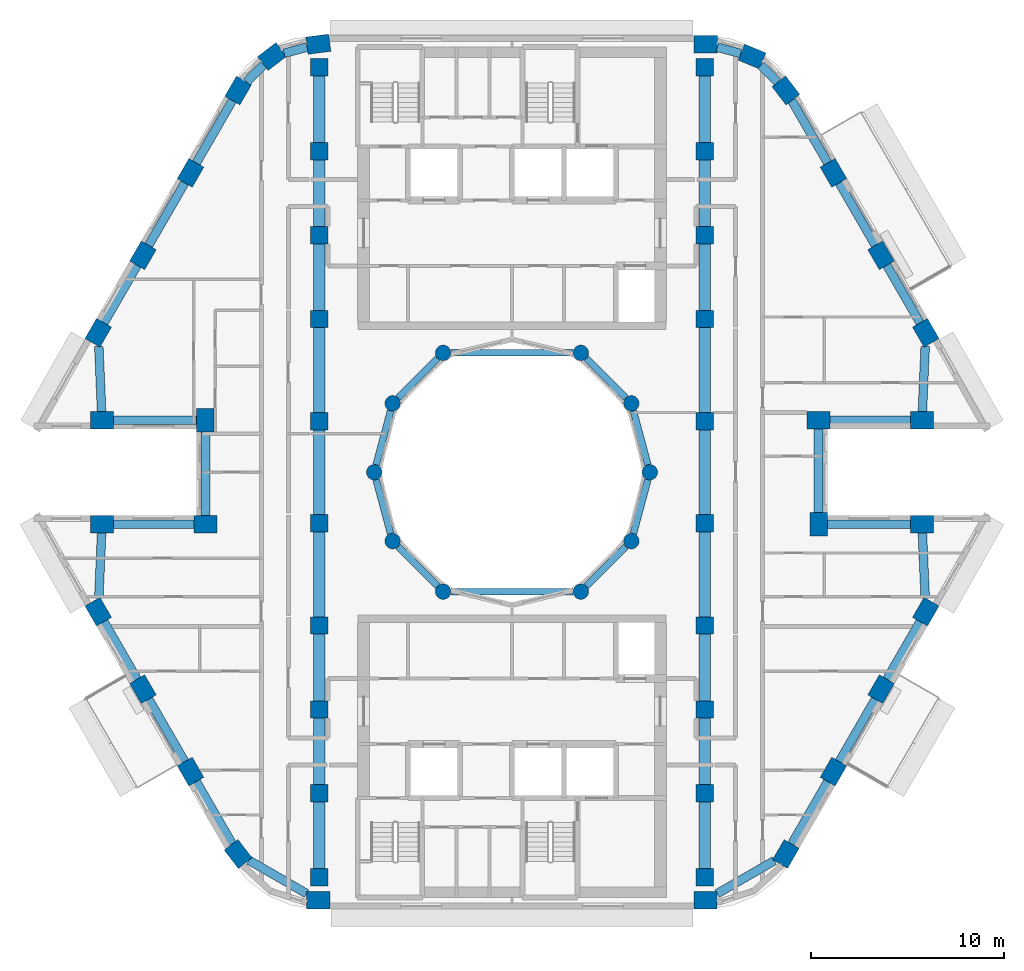
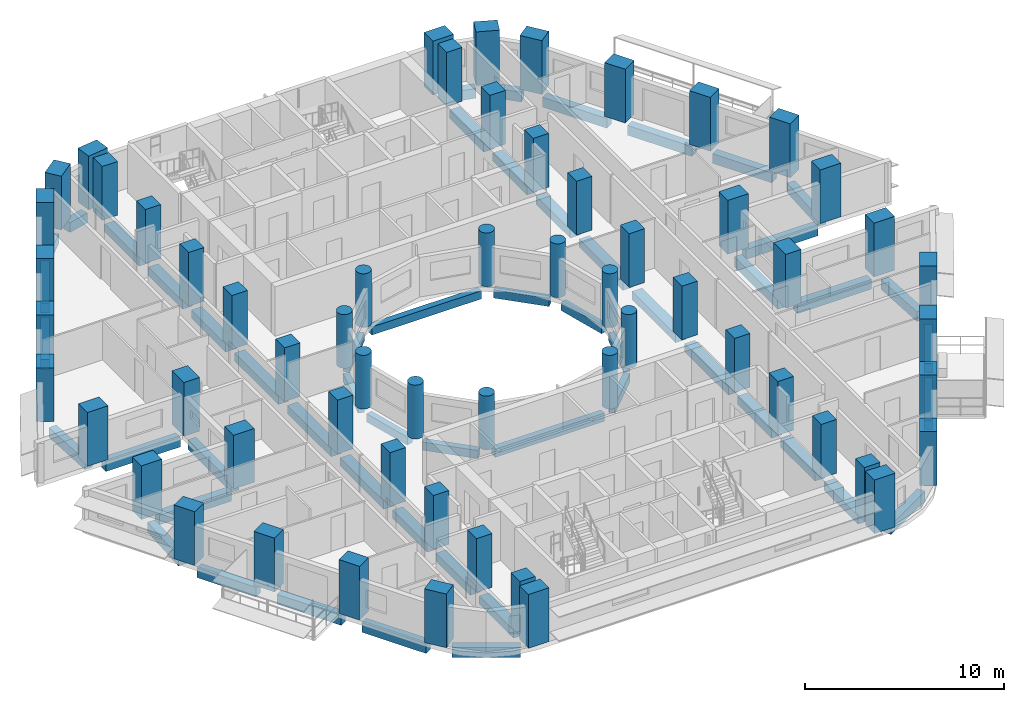
# One storey, part 1 of 18: 60 columns, 56 beams.
"""IFC4 building model written with IfcOpenShell, lengths in metres."""

from ifc_helpers import new_model, si_unit, direction, frame, origin, origin_2d, place, context, subcontext, project, spatial, rectangle, circle, extrude, material, material_profile, profile_set, type_object, element, save


model = new_model("IFC4")

# Units and contexts
model_context = context("Model", 3, precision=1e-05, world=origin(), true_north=direction((0.0, 1.0)))
body_context = subcontext(model_context, "Body", "Model", "MODEL_VIEW")
ifc_project = project(units=[si_unit("LENGTHUNIT", "METRE"), si_unit("AREAUNIT", "SQUARE_METRE"), si_unit("VOLUMEUNIT", "CUBIC_METRE"), si_unit("PLANEANGLEUNIT", "RADIAN"), si_unit("MASSUNIT", "GRAM", prefix="KILO")], contexts=[model_context])

# Site, building, storey
site_placement = place(None, origin())
site = spatial("IfcSite", under=ifc_project, at=site_placement, CompositionType="ELEMENT")
building_placement = place(site_placement, origin())
building = spatial("IfcBuilding", under=site, at=building_placement, Name="Nakaniwa Court", CompositionType="ELEMENT")
storey_placement = place(building_placement, frame((0.0, 0.0, 180.0)))
storey = spatial("IfcBuildingStorey", under=building, at=storey_placement, Name="L46", CompositionType="ELEMENT", Elevation=180.0)

# Columns
ifc_material = material(Name="Concrete C80/100", Category="concrete")
ifc_material_profile_1 = material_profile(ifc_material, rectangle(XDim=1.199951171875, YDim=0.89990234375, at=origin_2d()), Name="Concrete C80/100 RC 1200x900 perimeter column")
ifc_profile_set_1 = profile_set([ifc_material_profile_1], Name="Concrete C80/100")
column_type_1 = type_object("IfcColumnType", Name="Concrete C80/100 RC 1200x900 perimeter column", PredefinedType="COLUMN", material=ifc_profile_set_1)
for number, where, z_axis, x_axis, name in (
    (1, (69.95458984375, 102.199951171875, 0.0), (0.0, 0.0, 1.0), (-0.991442583111, -0.130543496177, 0.0), "COLUMN CO-01"),
    (2, (67.552001953125, 101.560302734375, 0.0), (0.0, 0.0, 1.0), (-0.793363965062, -0.608747582288, 0.0), "COLUMN CO-02"),
    (3, (65.796875, 99.799560546875, 0.0), (0.0, 0.0, 1.0), (-0.5, -0.866025403784, 0.0), "COLUMN CO-03"),
    (4, (63.328857421875, 95.524658203125, 0.0), (0.0, 0.0, 1.0), (-0.5, -0.866025403784, 0.0), "COLUMN CO-04"),
    (5, (60.860595703125, 91.249755859375, 0.0), (0.0, 0.0, 1.0), (-0.5, -0.866025403784, 0.0), "COLUMN CO-05"),
    (6, (58.541015625, 87.232177734375, 0.0), (0.0, 0.0, 1.0), (-0.5, -0.866025403784, 0.0), "COLUMN CO-06"),
    (7, (58.736083984375, 82.699951171875, 0.0), (0.0, 0.0, 1.0), (1.0, 0.0, 0.0), "COLUMN CO-08"),
    (8, (64.1005859375, 82.699951171875, 0.0), (0.0, 0.0, 1.0), (0.0, -1.0, 0.0), "COLUMN CO-09"),
    (9, (64.1005859375, 77.300048828125, 0.0), (0.0, 0.0, 1.0), (-1.0, 0.0, 0.0), "COLUMN CO-10"),
    (10, (58.736083984375, 77.300048828125, 0.0), (0.0, 0.0, 1.0), (-1.0, 0.0, 0.0), "COLUMN CO-11"),
    (11, (58.541015625, 72.767822265625, 0.0), (0.0, 0.0, 1.0), (0.5, -0.866025403784, 0.0), "COLUMN CO-13"),
    (12, (60.860595703125, 68.750244140625, 0.0), (0.0, 0.0, 1.0), (0.5, -0.866025403784, 0.0), "COLUMN CO-14"),
    (13, (63.328857421875, 64.475341796875, 0.0), (0.0, 0.0, 1.0), (0.5, -0.866025403784, 0.0), "COLUMN CO-15"),
    (14, (65.796875, 60.200439453125, 0.0), (0.0, 0.0, 1.0), (0.608761429009, -0.793353340291, 0.0), "COLUMN CO-16"),
    (15, (69.95458984375, 57.800048828125, 0.0), (0.0, 0.0, 1.0), (1.0, 0.0, 0.0), "COLUMN CO-17"),
    (16, (90.03955078125, 57.800048828125, 0.0), (0.0, 0.0, 1.0), (1.0, 0.0, 0.0), "COLUMN CO-21"),
    (17, (94.203125, 60.200439453125, 0.0), (0.0, 0.0, 1.0), (0.5, 0.866025403784, 0.0), "COLUMN CO-22"),
    (18, (96.671142578125, 64.475341796875, 0.0), (0.0, 0.0, 1.0), (0.5, 0.866025403784, 0.0), "COLUMN CO-23"),
    (19, (99.139404296875, 68.750244140625, 0.0), (0.0, 0.0, 1.0), (0.5, 0.866025403784, 0.0), "COLUMN CO-24"),
    (20, (101.458984375, 72.767822265625, 0.0), (0.0, 0.0, 1.0), (0.5, 0.866025403784, 0.0), "COLUMN CO-25"),
    (21, (101.263916015625, 77.300048828125, 0.0), (0.0, 0.0, 1.0), (-1.0, 0.0, 0.0), "COLUMN CO-27"),
    (22, (95.8994140625, 77.300048828125, 0.0), (0.0, 0.0, 1.0), (0.0, 1.0, 0.0), "COLUMN CO-28"),
    (23, (95.8994140625, 82.699951171875, 0.0), (0.0, 0.0, 1.0), (1.0, 0.0, 0.0), "COLUMN CO-29"),
    (24, (101.263916015625, 82.699951171875, 0.0), (0.0, 0.0, 1.0), (1.0, 0.0, 0.0), "COLUMN CO-30"),
    (25, (101.458984375, 87.232177734375, 0.0), (0.0, 0.0, 1.0), (-0.5, 0.866025403784, 0.0), "COLUMN CO-32"),
    (26, (99.139404296875, 91.249755859375, 0.0), (0.0, 0.0, 1.0), (-0.5, 0.866025403784, 0.0), "COLUMN CO-33"),
    (27, (96.671142578125, 95.524658203125, 0.0), (0.0, 0.0, 1.0), (-0.5, 0.866025403784, 0.0), "COLUMN CO-34"),
    (28, (94.203125, 99.799560546875, 0.0), (0.0, 0.0, 1.0), (-0.608761429009, 0.793353340291, 0.0), "COLUMN CO-35"),
    (29, (92.447998046875, 101.560302734375, 0.0), (0.0, 0.0, 1.0), (-0.923879532511, 0.382683432365, 0.0), "COLUMN CO-36"),
    (30, (90.04541015625, 102.199951171875, 0.0), (0.0, 0.0, 1.0), (-1.0, 0.0, 0.0), "COLUMN CO-37"),
):
    element("IfcColumn", number, at=place(storey_placement, frame(where, z_axis=z_axis, x_axis=x_axis)), inside=storey, type_object=column_type_1, Name=name, PredefinedType="COLUMN", context=body_context, shape_type="SweptSolid", body=[
        extrude(rectangle(XDim=1.199951171875, YDim=0.89990234375, at=origin_2d()), origin(), (0.0, 0.0, 1.0), 3.300048828125),
    ])
ifc_material_profile_2 = material_profile(ifc_material, rectangle(XDim=0.89990234375, YDim=0.89990234375, at=origin_2d()), Name="Concrete C80/100 RC 900x900 spine column")
ifc_profile_set_2 = profile_set([ifc_material_profile_2], Name="Concrete C80/100")
column_type_2 = type_object("IfcColumnType", Name="Concrete C80/100 RC 900x900 spine column", PredefinedType="COLUMN", material=ifc_profile_set_2)
for number, where, z_axis, x_axis, name in (
    (31, (90.0, 59.0, 0.0), (0.0, 0.0, 1.0), (0.0, 1.0, 0.0), "COLUMN CS-01"),
    (32, (90.0, 63.35009765625, 0.0), (0.0, 0.0, 1.0), (0.0, 1.0, 0.0), "COLUMN CS-02"),
    (33, (90.0, 67.699951171875, 0.0), (0.0, 0.0, 1.0), (0.0, 1.0, 0.0), "COLUMN CS-03"),
    (34, (90.0, 72.050048828125, 0.0), (0.0, 0.0, 1.0), (0.0, 1.0, 0.0), "COLUMN CS-04"),
    (35, (90.0, 77.35009765625, 0.0), (0.0, 0.0, 1.0), (0.0, 1.0, 0.0), "COLUMN CS-05"),
    (36, (90.0, 82.64990234375, 0.0), (0.0, 0.0, 1.0), (0.0, 1.0, 0.0), "COLUMN CS-06"),
    (37, (90.0, 87.949951171875, 0.0), (0.0, 0.0, 1.0), (0.0, 1.0, 0.0), "COLUMN CS-07"),
    (38, (90.0, 92.300048828125, 0.0), (0.0, 0.0, 1.0), (0.0, 1.0, 0.0), "COLUMN CS-08"),
    (39, (90.0, 96.64990234375, 0.0), (0.0, 0.0, 1.0), (0.0, 1.0, 0.0), "COLUMN CS-09"),
    (40, (90.0, 101.0, 0.0), (0.0, 0.0, 1.0), (0.0, 1.0, 0.0), "COLUMN CS-10"),
    (41, (70.0, 101.0, 0.0), (0.0, 0.0, 1.0), (0.0, -1.0, 0.0), "COLUMN CS-11"),
    (42, (70.0, 96.64990234375, 0.0), (0.0, 0.0, 1.0), (0.0, -1.0, 0.0), "COLUMN CS-12"),
    (43, (70.0, 92.300048828125, 0.0), (0.0, 0.0, 1.0), (0.0, -1.0, 0.0), "COLUMN CS-13"),
    (44, (70.0, 87.949951171875, 0.0), (0.0, 0.0, 1.0), (0.0, -1.0, 0.0), "COLUMN CS-14"),
    (45, (70.0, 82.64990234375, 0.0), (0.0, 0.0, 1.0), (0.0, -1.0, 0.0), "COLUMN CS-15"),
    (46, (70.0, 77.35009765625, 0.0), (0.0, 0.0, 1.0), (0.0, -1.0, 0.0), "COLUMN CS-16"),
    (47, (70.0, 72.050048828125, 0.0), (0.0, 0.0, 1.0), (0.0, -1.0, 0.0), "COLUMN CS-17"),
    (48, (70.0, 67.699951171875, 0.0), (0.0, 0.0, 1.0), (0.0, -1.0, 0.0), "COLUMN CS-18"),
    (49, (70.0, 63.35009765625, 0.0), (0.0, 0.0, 1.0), (0.0, -1.0, 0.0), "COLUMN CS-19"),
    (50, (70.0, 59.0, 0.0), (0.0, 0.0, 1.0), (0.0, -1.0, 0.0), "COLUMN CS-20"),
):
    element("IfcColumn", number, at=place(storey_placement, frame(where, z_axis=z_axis, x_axis=x_axis)), inside=storey, type_object=column_type_2, Name=name, PredefinedType="COLUMN", context=body_context, shape_type="SweptSolid", body=[
        extrude(rectangle(XDim=0.89990234375, YDim=0.89990234375, at=origin_2d()), origin(), (0.0, 0.0, 1.0), 3.300048828125),
    ])
ifc_material_profile_3 = material_profile(ifc_material, circle(Radius=0.39990234375, at=origin_2d()), Name="Concrete C80/100 RC D800 inner ring column")
ifc_profile_set_3 = profile_set([ifc_material_profile_3], Name="Concrete C80/100")
column_type_3 = type_object("IfcColumnType", Name="Concrete C80/100 RC D800 inner ring column", PredefinedType="COLUMN", material=ifc_profile_set_3)
for number, where, z_axis, x_axis, name in (
    (51, (87.14990234375, 80.0, 0.0), (0.0, 0.0, 1.0), (0.0, 1.0, 0.0), "COLUMN CI-01"),
    (52, (86.192138671875, 83.574951171875, 0.0), (0.0, 0.0, 1.0), (-0.5, 0.866025403784, 0.0), "COLUMN CI-02"),
    (53, (83.574951171875, 86.192138671875, 0.0), (0.0, 0.0, 1.0), (-0.866025403784, 0.5, 0.0), "COLUMN CI-03"),
    (54, (76.425048828125, 86.192138671875, 0.0), (0.0, 0.0, 1.0), (-0.866025403784, -0.5, 0.0), "COLUMN CI-05"),
    (55, (73.807861328125, 83.574951171875, 0.0), (0.0, 0.0, 1.0), (-0.5, -0.866025403784, 0.0), "COLUMN CI-06"),
    (56, (72.85009765625, 80.0, 0.0), (0.0, 0.0, 1.0), (0.0, -1.0, 0.0), "COLUMN CI-07"),
    (57, (73.807861328125, 76.425048828125, 0.0), (0.0, 0.0, 1.0), (0.5, -0.866025403784, 0.0), "COLUMN CI-08"),
    (58, (76.425048828125, 73.807861328125, 0.0), (0.0, 0.0, 1.0), (0.866025403784, -0.5, 0.0), "COLUMN CI-09"),
    (59, (83.574951171875, 73.807861328125, 0.0), (0.0, 0.0, 1.0), (0.866025403784, 0.5, 0.0), "COLUMN CI-11"),
    (60, (86.192138671875, 76.425048828125, 0.0), (0.0, 0.0, 1.0), (0.5, 0.866025403784, 0.0), "COLUMN CI-12"),
):
    element("IfcColumn", number, at=place(storey_placement, frame(where, z_axis=z_axis, x_axis=x_axis)), inside=storey, type_object=column_type_3, Name=name, PredefinedType="COLUMN", context=body_context, shape_type="SweptSolid", body=[
        extrude(circle(Radius=0.39990234375, at=origin_2d()), origin(), (0.0, 0.0, 1.0), 3.300048828125),
    ])

# Beams
ifc_material_profile_4 = material_profile(ifc_material, rectangle(XDim=0.35009765625, YDim=0.5, at=origin_2d()), Name="Concrete C80/100 RC 350x500 ring beam")
ifc_profile_set_4 = profile_set([ifc_material_profile_4], Name="Concrete C80/100")
beam_type_1 = type_object("IfcBeamType", Name="Concrete C80/100 RC 350x500 ring beam", PredefinedType="BEAM", material=ifc_profile_set_4)
beam_1_placement = place(storey_placement, frame((87.04638671875, 80.386474609375, -0.52490234375), z_axis=(-0.258778150207, 0.965936783115, 0.0), x_axis=(-0.965936783115, -0.258778150207, 0.0)))
element("IfcBeam", 61, at=beam_1_placement, inside=storey, type_object=beam_type_1, Name="RING BEAM", PredefinedType="BEAM", context=body_context, shape_type="SweptSolid", body=[
    extrude(rectangle(XDim=0.35009765625, YDim=0.5, at=origin_2d()), origin(), (0.0, 0.0, 1.0), 2.901123046875),
])
beam_2_placement = place(storey_placement, frame((85.9091796875, 83.85791015625, -0.52490234375), z_axis=(-0.707106781187, 0.707106781187, 0.0), x_axis=(-0.707106781187, -0.707106781187, 0.0)))
element("IfcBeam", 62, at=beam_2_placement, inside=storey, type_object=beam_type_1, Name="RING BEAM", PredefinedType="BEAM", context=body_context, shape_type="SweptSolid", body=[
    extrude(rectangle(XDim=0.35009765625, YDim=0.5, at=origin_2d()), origin(), (0.0, 0.0, 1.0), 2.90087890625),
])
beam_3_placement = place(storey_placement, frame((83.175048828125, 86.192138671875, -0.52490234375), z_axis=(-1.0, 0.0, 0.0), x_axis=(0.0, -1.0, 0.0)))
element("IfcBeam", 63, at=beam_3_placement, inside=storey, type_object=beam_type_1, Name="RING BEAM", PredefinedType="BEAM", context=body_context, shape_type="SweptSolid", body=[
    extrude(rectangle(XDim=0.35009765625, YDim=0.5, at=origin_2d()), origin(), (0.0, 0.0, 1.0), 6.35009765625),
])
beam_4_placement = place(storey_placement, frame((76.14208984375, 85.9091796875, -0.52490234375), z_axis=(-0.707106781187, -0.707106781187, 0.0), x_axis=(0.707106781187, -0.707106781187, 0.0)))
element("IfcBeam", 64, at=beam_4_placement, inside=storey, type_object=beam_type_1, Name="RING BEAM", PredefinedType="BEAM", context=body_context, shape_type="SweptSolid", body=[
    extrude(rectangle(XDim=0.35009765625, YDim=0.5, at=origin_2d()), origin(), (0.0, 0.0, 1.0), 2.90087890625),
])
for number, where, z_axis, x_axis, name in (
    (65, (73.704345703125, 83.188720703125, -0.52490234375), (-0.258778150207, -0.965936783115, 0.0), (0.965936783115, -0.258778150207, 0.0), "RING BEAM"),
    (66, (72.95361328125, 79.613525390625, -0.52490234375), (0.258778150207, -0.965936783115, 0.0), (0.965936783115, 0.258778150207, 0.0), "RING BEAM"),
):
    element("IfcBeam", number, at=place(storey_placement, frame(where, z_axis=z_axis, x_axis=x_axis)), inside=storey, type_object=beam_type_1, Name=name, PredefinedType="BEAM", context=body_context, shape_type="SweptSolid", body=[
        extrude(rectangle(XDim=0.35009765625, YDim=0.5, at=origin_2d()), origin(), (0.0, 0.0, 1.0), 2.901123046875),
    ])
beam_5_placement = place(storey_placement, frame((74.0908203125, 76.14208984375, -0.52490234375), z_axis=(0.707106781187, -0.707106781187, 0.0), x_axis=(0.707106781187, 0.707106781187, 0.0)))
element("IfcBeam", 67, at=beam_5_placement, inside=storey, type_object=beam_type_1, Name="RING BEAM", PredefinedType="BEAM", context=body_context, shape_type="SweptSolid", body=[
    extrude(rectangle(XDim=0.35009765625, YDim=0.5, at=origin_2d()), origin(), (0.0, 0.0, 1.0), 2.90087890625),
])
beam_6_placement = place(storey_placement, frame((76.824951171875, 73.807861328125, -0.52490234375), z_axis=(1.0, 0.0, 0.0), x_axis=(0.0, 1.0, 0.0)))
element("IfcBeam", 68, at=beam_6_placement, inside=storey, type_object=beam_type_1, Name="RING BEAM", PredefinedType="BEAM", context=body_context, shape_type="SweptSolid", body=[
    extrude(rectangle(XDim=0.35009765625, YDim=0.5, at=origin_2d()), origin(), (0.0, 0.0, 1.0), 6.35009765625),
])
beam_7_placement = place(storey_placement, frame((83.85791015625, 74.0908203125, -0.52490234375), z_axis=(0.707106781187, 0.707106781187, 0.0), x_axis=(-0.707106781187, 0.707106781187, 0.0)))
element("IfcBeam", 69, at=beam_7_placement, inside=storey, type_object=beam_type_1, Name="RING BEAM", PredefinedType="BEAM", context=body_context, shape_type="SweptSolid", body=[
    extrude(rectangle(XDim=0.35009765625, YDim=0.5, at=origin_2d()), origin(), (0.0, 0.0, 1.0), 2.90087890625),
])
beam_8_placement = place(storey_placement, frame((86.295654296875, 76.811279296875, -0.52490234375), z_axis=(0.258778150207, 0.965936783115, 0.0), x_axis=(-0.965936783115, 0.258778150207, 0.0)))
element("IfcBeam", 70, at=beam_8_placement, inside=storey, type_object=beam_type_1, Name="RING BEAM", PredefinedType="BEAM", context=body_context, shape_type="SweptSolid", body=[
    extrude(rectangle(XDim=0.35009765625, YDim=0.5, at=origin_2d()), origin(), (0.0, 0.0, 1.0), 2.901123046875),
])
ifc_material_profile_5 = material_profile(ifc_material, rectangle(XDim=0.449951171875, YDim=0.60009765625, at=origin_2d()), Name="Concrete C80/100 RC 450x600 spandrel beam")
ifc_profile_set_5 = profile_set([ifc_material_profile_5], Name="Concrete C80/100")
beam_type_2 = type_object("IfcBeamType", Name="Concrete C80/100 RC 450x600 spandrel beam", PredefinedType="BEAM", material=ifc_profile_set_5)
beam_9_placement = place(storey_placement, frame((69.3701171875, 102.044189453125, -0.574951171875), z_axis=(-0.966320442624, -0.257341800272, 0.0), x_axis=(0.257341800272, -0.966320442624, 0.0)))
element("IfcBeam", 71, at=beam_9_placement, inside=storey, type_object=beam_type_2, Name="SPANDREL BEAM", PredefinedType="BEAM", context=body_context, shape_type="SweptSolid", body=[
    extrude(rectangle(XDim=0.449951171875, YDim=0.60009765625, at=origin_2d()), origin(), (0.0, 0.0, 1.0), 1.2314453125),
])
beam_10_placement = place(storey_placement, frame((67.124755859375, 101.131591796875, -0.574951171875), z_axis=(-0.705943141011, -0.708268509578, 0.0), x_axis=(0.708268509578, -0.705943141011, 0.0)))
element("IfcBeam", 72, at=beam_10_placement, inside=storey, type_object=beam_type_2, Name="SPANDREL BEAM", PredefinedType="BEAM", context=body_context, shape_type="SweptSolid", body=[
    extrude(rectangle(XDim=0.449951171875, YDim=0.60009765625, at=origin_2d()), origin(), (0.0, 0.0, 1.0), 1.259765625),
])
for number, where, z_axis, x_axis, name in (
    (73, (65.496826171875, 99.27978515625, -0.574951171875), (-0.499969460568, -0.866043035016, 0.0), (0.866043035016, -0.499969460568, 0.0), "SPANDREL BEAM"),
    (74, (63.02880859375, 95.0048828125, -0.574951171875), (-0.500018470369, -0.866014739649, 0.0), (0.866014739649, -0.500018470369, 0.0), "SPANDREL BEAM"),
):
    element("IfcBeam", number, at=place(storey_placement, frame(where, z_axis=z_axis, x_axis=x_axis)), inside=storey, type_object=beam_type_2, Name=name, PredefinedType="BEAM", context=body_context, shape_type="SweptSolid", body=[
        extrude(rectangle(XDim=0.449951171875, YDim=0.60009765625, at=origin_2d()), origin(), (0.0, 0.0, 1.0), 3.736083984375),
    ])
beam_11_placement = place(storey_placement, frame((60.560791015625, 90.72998046875, -0.574951171875), z_axis=(-0.500048133448, -0.865997612142, 0.0), x_axis=(0.865997612142, -0.500048133448, 0.0)))
element("IfcBeam", 75, at=beam_11_placement, inside=storey, type_object=beam_type_2, Name="SPANDREL BEAM", PredefinedType="BEAM", context=body_context, shape_type="SweptSolid", body=[
    extrude(rectangle(XDim=0.449951171875, YDim=0.60009765625, at=origin_2d()), origin(), (0.0, 0.0, 1.0), 3.439208984375),
])
beam_12_placement = place(storey_placement, frame((58.57177734375, 86.521728515625, -0.574951171875), z_axis=(0.042897265713, -0.999079488627, 0.0), x_axis=(0.999079488627, 0.042897265713, 0.0)))
element("IfcBeam", 76, at=beam_12_placement, inside=storey, type_object=beam_type_2, Name="SPANDREL BEAM", PredefinedType="BEAM", context=body_context, shape_type="SweptSolid", body=[
    extrude(rectangle(XDim=0.449951171875, YDim=0.60009765625, at=origin_2d()), origin(), (0.0, 0.0, 1.0), 3.375),
])
beam_13_placement = place(storey_placement, frame((59.3359375, 82.699951171875, -0.574951171875), z_axis=(1.0, 0.0, 0.0), x_axis=(0.0, 1.0, 0.0)))
element("IfcBeam", 77, at=beam_13_placement, inside=storey, type_object=beam_type_2, Name="SPANDREL BEAM", PredefinedType="BEAM", context=body_context, shape_type="SweptSolid", body=[
    extrude(rectangle(XDim=0.449951171875, YDim=0.60009765625, at=origin_2d()), origin(), (0.0, 0.0, 1.0), 4.314453125),
])
beam_14_placement = place(storey_placement, frame((64.1005859375, 82.10009765625, -0.574951171875), z_axis=(0.0, -1.0, 0.0), x_axis=(1.0, 0.0, 0.0)))
element("IfcBeam", 78, at=beam_14_placement, inside=storey, type_object=beam_type_2, Name="SPANDREL BEAM", PredefinedType="BEAM", context=body_context, shape_type="SweptSolid", body=[
    extrude(rectangle(XDim=0.449951171875, YDim=0.60009765625, at=origin_2d()), origin(), (0.0, 0.0, 1.0), 4.35009765625),
])
beam_15_placement = place(storey_placement, frame((63.50048828125, 77.300048828125, -0.574951171875), z_axis=(-1.0, 0.0, 0.0), x_axis=(0.0, -1.0, 0.0)))
element("IfcBeam", 79, at=beam_15_placement, inside=storey, type_object=beam_type_2, Name="SPANDREL BEAM", PredefinedType="BEAM", context=body_context, shape_type="SweptSolid", body=[
    extrude(rectangle(XDim=0.449951171875, YDim=0.60009765625, at=origin_2d()), origin(), (0.0, 0.0, 1.0), 4.16455078125),
])
beam_16_placement = place(storey_placement, frame((58.716552734375, 76.85009765625, -0.574951171875), z_axis=(-0.042897265713, -0.999079488627, 0.0), x_axis=(0.999079488627, -0.042897265713, 0.0)))
element("IfcBeam", 80, at=beam_16_placement, inside=storey, type_object=beam_type_2, Name="SPANDREL BEAM", PredefinedType="BEAM", context=body_context, shape_type="SweptSolid", body=[
    extrude(rectangle(XDim=0.449951171875, YDim=0.60009765625, at=origin_2d()), origin(), (0.0, 0.0, 1.0), 3.375),
])
beam_17_placement = place(storey_placement, frame((58.841064453125, 72.248291015625, -0.574951171875), z_axis=(0.500048133448, -0.865997612142, 0.0), x_axis=(0.865997612142, 0.500048133448, 0.0)))
element("IfcBeam", 81, at=beam_17_placement, inside=storey, type_object=beam_type_2, Name="SPANDREL BEAM", PredefinedType="BEAM", context=body_context, shape_type="SweptSolid", body=[
    extrude(rectangle(XDim=0.449951171875, YDim=0.60009765625, at=origin_2d()), origin(), (0.0, 0.0, 1.0), 3.439208984375),
])
beam_18_placement = place(storey_placement, frame((61.16064453125, 68.230712890625, -0.574951171875), z_axis=(0.500018470369, -0.866014739649, 0.0), x_axis=(0.866014739649, 0.500018470369, 0.0)))
element("IfcBeam", 82, at=beam_18_placement, inside=storey, type_object=beam_type_2, Name="SPANDREL BEAM", PredefinedType="BEAM", context=body_context, shape_type="SweptSolid", body=[
    extrude(rectangle(XDim=0.449951171875, YDim=0.60009765625, at=origin_2d()), origin(), (0.0, 0.0, 1.0), 3.736083984375),
])
beam_19_placement = place(storey_placement, frame((63.62890625, 63.955810546875, -0.574951171875), z_axis=(0.499988672538, -0.866031943599, 0.0), x_axis=(0.866031943599, 0.499988672538, 0.0)))
element("IfcBeam", 83, at=beam_19_placement, inside=storey, type_object=beam_type_2, Name="SPANDREL BEAM", PredefinedType="BEAM", context=body_context, shape_type="SweptSolid", body=[
    extrude(rectangle(XDim=0.449951171875, YDim=0.60009765625, at=origin_2d()), origin(), (0.0, 0.0, 1.0), 3.73095703125),
])
beam_20_placement = place(storey_placement, frame((66.359375, 59.875732421875, -0.574951171875), z_axis=(0.866041005548, -0.49997297598, 0.0), x_axis=(0.49997297598, 0.866041005548, 0.0)))
element("IfcBeam", 84, at=beam_20_placement, inside=storey, type_object=beam_type_2, Name="SPANDREL BEAM", PredefinedType="BEAM", context=body_context, shape_type="SweptSolid", body=[
    extrude(rectangle(XDim=0.449951171875, YDim=0.60009765625, at=origin_2d()), origin(), (0.0, 0.0, 1.0), 3.458740234375),
])
beam_21_placement = place(storey_placement, frame((90.639404296875, 58.14599609375, -0.574951171875), z_axis=(0.866361397704, 0.499417589367, 0.0), x_axis=(-0.499417589367, 0.866361397704, 0.0)))
element("IfcBeam", 85, at=beam_21_placement, inside=storey, type_object=beam_type_2, Name="SPANDREL BEAM", PredefinedType="BEAM", context=body_context, shape_type="SweptSolid", body=[
    extrude(rectangle(XDim=0.449951171875, YDim=0.60009765625, at=origin_2d()), origin(), (0.0, 0.0, 1.0), 3.42041015625),
])
for number, where, z_axis, x_axis, name in (
    (86, (94.503173828125, 60.72021484375, -0.574951171875), (0.499969460568, 0.866043035016, 0.0), (-0.866043035016, 0.499969460568, 0.0), "SPANDREL BEAM"),
    (87, (96.97119140625, 64.9951171875, -0.574951171875), (0.500018470369, 0.866014739649, 0.0), (-0.866014739649, 0.500018470369, 0.0), "SPANDREL BEAM"),
):
    element("IfcBeam", number, at=place(storey_placement, frame(where, z_axis=z_axis, x_axis=x_axis)), inside=storey, type_object=beam_type_2, Name=name, PredefinedType="BEAM", context=body_context, shape_type="SweptSolid", body=[
        extrude(rectangle(XDim=0.449951171875, YDim=0.60009765625, at=origin_2d()), origin(), (0.0, 0.0, 1.0), 3.736083984375),
    ])
beam_22_placement = place(storey_placement, frame((99.439208984375, 69.27001953125, -0.574951171875), z_axis=(0.500048133448, 0.865997612142, 0.0), x_axis=(-0.865997612142, 0.500048133448, 0.0)))
element("IfcBeam", 88, at=beam_22_placement, inside=storey, type_object=beam_type_2, Name="SPANDREL BEAM", PredefinedType="BEAM", context=body_context, shape_type="SweptSolid", body=[
    extrude(rectangle(XDim=0.449951171875, YDim=0.60009765625, at=origin_2d()), origin(), (0.0, 0.0, 1.0), 3.439208984375),
])
beam_23_placement = place(storey_placement, frame((101.42822265625, 73.478271484375, -0.574951171875), z_axis=(-0.042897265713, 0.999079488627, 0.0), x_axis=(-0.999079488627, -0.042897265713, 0.0)))
element("IfcBeam", 89, at=beam_23_placement, inside=storey, type_object=beam_type_2, Name="SPANDREL BEAM", PredefinedType="BEAM", context=body_context, shape_type="SweptSolid", body=[
    extrude(rectangle(XDim=0.449951171875, YDim=0.60009765625, at=origin_2d()), origin(), (0.0, 0.0, 1.0), 3.375),
])
beam_24_placement = place(storey_placement, frame((100.6640625, 77.300048828125, -0.574951171875), z_axis=(-1.0, 0.0, 0.0), x_axis=(0.0, -1.0, 0.0)))
element("IfcBeam", 90, at=beam_24_placement, inside=storey, type_object=beam_type_2, Name="SPANDREL BEAM", PredefinedType="BEAM", context=body_context, shape_type="SweptSolid", body=[
    extrude(rectangle(XDim=0.449951171875, YDim=0.60009765625, at=origin_2d()), origin(), (0.0, 0.0, 1.0), 4.314453125),
])
beam_25_placement = place(storey_placement, frame((95.8994140625, 77.89990234375, -0.574951171875), z_axis=(0.0, 1.0, 0.0), x_axis=(-1.0, 0.0, 0.0)))
element("IfcBeam", 91, at=beam_25_placement, inside=storey, type_object=beam_type_2, Name="SPANDREL BEAM", PredefinedType="BEAM", context=body_context, shape_type="SweptSolid", body=[
    extrude(rectangle(XDim=0.449951171875, YDim=0.60009765625, at=origin_2d()), origin(), (0.0, 0.0, 1.0), 4.35009765625),
])
beam_26_placement = place(storey_placement, frame((96.49951171875, 82.699951171875, -0.574951171875), z_axis=(1.0, 0.0, 0.0), x_axis=(0.0, 1.0, 0.0)))
element("IfcBeam", 92, at=beam_26_placement, inside=storey, type_object=beam_type_2, Name="SPANDREL BEAM", PredefinedType="BEAM", context=body_context, shape_type="SweptSolid", body=[
    extrude(rectangle(XDim=0.449951171875, YDim=0.60009765625, at=origin_2d()), origin(), (0.0, 0.0, 1.0), 4.16455078125),
])
beam_27_placement = place(storey_placement, frame((101.283447265625, 83.14990234375, -0.574951171875), z_axis=(0.042897265713, 0.999079488627, 0.0), x_axis=(-0.999079488627, 0.042897265713, 0.0)))
element("IfcBeam", 93, at=beam_27_placement, inside=storey, type_object=beam_type_2, Name="SPANDREL BEAM", PredefinedType="BEAM", context=body_context, shape_type="SweptSolid", body=[
    extrude(rectangle(XDim=0.449951171875, YDim=0.60009765625, at=origin_2d()), origin(), (0.0, 0.0, 1.0), 3.375),
])
beam_28_placement = place(storey_placement, frame((101.158935546875, 87.751708984375, -0.574951171875), z_axis=(-0.500048133448, 0.865997612142, 0.0), x_axis=(-0.865997612142, -0.500048133448, 0.0)))
element("IfcBeam", 94, at=beam_28_placement, inside=storey, type_object=beam_type_2, Name="SPANDREL BEAM", PredefinedType="BEAM", context=body_context, shape_type="SweptSolid", body=[
    extrude(rectangle(XDim=0.449951171875, YDim=0.60009765625, at=origin_2d()), origin(), (0.0, 0.0, 1.0), 3.439208984375),
])
beam_29_placement = place(storey_placement, frame((98.83935546875, 91.769287109375, -0.574951171875), z_axis=(-0.500018470369, 0.866014739649, 0.0), x_axis=(-0.866014739649, -0.500018470369, 0.0)))
element("IfcBeam", 95, at=beam_29_placement, inside=storey, type_object=beam_type_2, Name="SPANDREL BEAM", PredefinedType="BEAM", context=body_context, shape_type="SweptSolid", body=[
    extrude(rectangle(XDim=0.449951171875, YDim=0.60009765625, at=origin_2d()), origin(), (0.0, 0.0, 1.0), 3.736083984375),
])
beam_30_placement = place(storey_placement, frame((96.37109375, 96.044189453125, -0.574951171875), z_axis=(-0.499988672538, 0.866031943599, 0.0), x_axis=(-0.866031943599, -0.499988672538, 0.0)))
element("IfcBeam", 96, at=beam_30_placement, inside=storey, type_object=beam_type_2, Name="SPANDREL BEAM", PredefinedType="BEAM", context=body_context, shape_type="SweptSolid", body=[
    extrude(rectangle(XDim=0.449951171875, YDim=0.60009765625, at=origin_2d()), origin(), (0.0, 0.0, 1.0), 3.73095703125),
])
beam_31_placement = place(storey_placement, frame((93.77587890625, 100.22802734375, -0.574951171875), z_axis=(-0.705916034154, 0.708295526404, 0.0), x_axis=(-0.708295526404, -0.705916034154, 0.0)))
element("IfcBeam", 97, at=beam_31_placement, inside=storey, type_object=beam_type_2, Name="SPANDREL BEAM", PredefinedType="BEAM", context=body_context, shape_type="SweptSolid", body=[
    extrude(rectangle(XDim=0.449951171875, YDim=0.60009765625, at=origin_2d()), origin(), (0.0, 0.0, 1.0), 1.231201171875),
])
beam_32_placement = place(storey_placement, frame((91.863037109375, 101.716064453125, -0.574951171875), z_axis=(-0.966337757832, 0.257276772735, 0.0), x_axis=(-0.257276772735, -0.966337757832, 0.0)))
element("IfcBeam", 98, at=beam_32_placement, inside=storey, type_object=beam_type_2, Name="SPANDREL BEAM", PredefinedType="BEAM", context=body_context, shape_type="SweptSolid", body=[
    extrude(rectangle(XDim=0.449951171875, YDim=0.60009765625, at=origin_2d()), origin(), (0.0, 0.0, 1.0), 1.26025390625),
])
ifc_material_profile_6 = material_profile(ifc_material, rectangle(XDim=0.60009765625, YDim=0.5, at=origin_2d()), Name="Concrete C80/100 RC 600x500 ring beam")
ifc_profile_set_6 = profile_set([ifc_material_profile_6], Name="Concrete C80/100")
beam_type_3 = type_object("IfcBeamType", Name="Concrete C80/100 RC 600x500 ring beam", PredefinedType="BEAM", material=ifc_profile_set_6)
for number, where, z_axis, x_axis, name in (
    (99, (90.0, 59.449951171875, -0.52490234375), (0.0, 1.0, 0.0), (-1.0, 0.0, 0.0), "RING BEAM"),
    (100, (90.0, 63.800048828125, -0.52490234375), (0.0, 1.0, 0.0), (-1.0, 0.0, 0.0), "RING BEAM"),
):
    element("IfcBeam", number, at=place(storey_placement, frame(where, z_axis=z_axis, x_axis=x_axis)), inside=storey, type_object=beam_type_3, Name=name, PredefinedType="BEAM", context=body_context, shape_type="SweptSolid", body=[
        extrude(rectangle(XDim=0.60009765625, YDim=0.5, at=origin_2d()), origin(), (0.0, 0.0, 1.0), 3.449951171875),
    ])
beam_33_placement = place(storey_placement, frame((90.0, 68.14990234375, -0.52490234375), z_axis=(0.0, 1.0, 0.0), x_axis=(-1.0, 0.0, 0.0)))
element("IfcBeam", 101, at=beam_33_placement, inside=storey, type_object=beam_type_3, Name="RING BEAM", PredefinedType="BEAM", context=body_context, shape_type="SweptSolid", body=[
    extrude(rectangle(XDim=0.60009765625, YDim=0.5, at=origin_2d()), origin(), (0.0, 0.0, 1.0), 3.4501953125),
])
for number, where, z_axis, x_axis, name in (
    (102, (90.0, 72.5, -0.52490234375), (0.0, 1.0, 0.0), (-1.0, 0.0, 0.0), "RING BEAM"),
    (103, (90.0, 77.800048828125, -0.52490234375), (0.0, 1.0, 0.0), (-1.0, 0.0, 0.0), "RING BEAM"),
    (104, (90.0, 83.10009765625, -0.52490234375), (0.0, 1.0, 0.0), (-1.0, 0.0, 0.0), "RING BEAM"),
):
    element("IfcBeam", number, at=place(storey_placement, frame(where, z_axis=z_axis, x_axis=x_axis)), inside=storey, type_object=beam_type_3, Name=name, PredefinedType="BEAM", context=body_context, shape_type="SweptSolid", body=[
        extrude(rectangle(XDim=0.60009765625, YDim=0.5, at=origin_2d()), origin(), (0.0, 0.0, 1.0), 4.39990234375),
    ])
beam_34_placement = place(storey_placement, frame((90.0, 88.39990234375, -0.52490234375), z_axis=(0.0, 1.0, 0.0), x_axis=(-1.0, 0.0, 0.0)))
element("IfcBeam", 105, at=beam_34_placement, inside=storey, type_object=beam_type_3, Name="RING BEAM", PredefinedType="BEAM", context=body_context, shape_type="SweptSolid", body=[
    extrude(rectangle(XDim=0.60009765625, YDim=0.5, at=origin_2d()), origin(), (0.0, 0.0, 1.0), 3.4501953125),
])
for number, where, z_axis, x_axis, name in (
    (106, (90.0, 92.75, -0.52490234375), (0.0, 1.0, 0.0), (-1.0, 0.0, 0.0), "RING BEAM"),
    (107, (90.0, 97.10009765625, -0.52490234375), (0.0, 1.0, 0.0), (-1.0, 0.0, 0.0), "RING BEAM"),
    (108, (70.0, 100.550048828125, -0.52490234375), (0.0, -1.0, 0.0), (1.0, 0.0, 0.0), "RING BEAM"),
    (109, (70.0, 96.199951171875, -0.52490234375), (0.0, -1.0, 0.0), (1.0, 0.0, 0.0), "RING BEAM"),
):
    element("IfcBeam", number, at=place(storey_placement, frame(where, z_axis=z_axis, x_axis=x_axis)), inside=storey, type_object=beam_type_3, Name=name, PredefinedType="BEAM", context=body_context, shape_type="SweptSolid", body=[
        extrude(rectangle(XDim=0.60009765625, YDim=0.5, at=origin_2d()), origin(), (0.0, 0.0, 1.0), 3.449951171875),
    ])
beam_35_placement = place(storey_placement, frame((70.0, 91.85009765625, -0.52490234375), z_axis=(0.0, -1.0, 0.0), x_axis=(1.0, 0.0, 0.0)))
element("IfcBeam", 110, at=beam_35_placement, inside=storey, type_object=beam_type_3, Name="RING BEAM", PredefinedType="BEAM", context=body_context, shape_type="SweptSolid", body=[
    extrude(rectangle(XDim=0.60009765625, YDim=0.5, at=origin_2d()), origin(), (0.0, 0.0, 1.0), 3.4501953125),
])
for number, where, z_axis, x_axis, name in (
    (111, (70.0, 87.5, -0.52490234375), (0.0, -1.0, 0.0), (1.0, 0.0, 0.0), "RING BEAM"),
    (112, (70.0, 82.199951171875, -0.52490234375), (0.0, -1.0, 0.0), (1.0, 0.0, 0.0), "RING BEAM"),
    (113, (70.0, 76.89990234375, -0.52490234375), (0.0, -1.0, 0.0), (1.0, 0.0, 0.0), "RING BEAM"),
):
    element("IfcBeam", number, at=place(storey_placement, frame(where, z_axis=z_axis, x_axis=x_axis)), inside=storey, type_object=beam_type_3, Name=name, PredefinedType="BEAM", context=body_context, shape_type="SweptSolid", body=[
        extrude(rectangle(XDim=0.60009765625, YDim=0.5, at=origin_2d()), origin(), (0.0, 0.0, 1.0), 4.39990234375),
    ])
beam_36_placement = place(storey_placement, frame((70.0, 71.60009765625, -0.52490234375), z_axis=(0.0, -1.0, 0.0), x_axis=(1.0, 0.0, 0.0)))
element("IfcBeam", 114, at=beam_36_placement, inside=storey, type_object=beam_type_3, Name="RING BEAM", PredefinedType="BEAM", context=body_context, shape_type="SweptSolid", body=[
    extrude(rectangle(XDim=0.60009765625, YDim=0.5, at=origin_2d()), origin(), (0.0, 0.0, 1.0), 3.4501953125),
])
for number, where, z_axis, x_axis, name in (
    (115, (70.0, 67.25, -0.52490234375), (0.0, -1.0, 0.0), (1.0, 0.0, 0.0), "RING BEAM"),
    (116, (70.0, 62.89990234375, -0.52490234375), (0.0, -1.0, 0.0), (1.0, 0.0, 0.0), "RING BEAM"),
):
    element("IfcBeam", number, at=place(storey_placement, frame(where, z_axis=z_axis, x_axis=x_axis)), inside=storey, type_object=beam_type_3, Name=name, PredefinedType="BEAM", context=body_context, shape_type="SweptSolid", body=[
        extrude(rectangle(XDim=0.60009765625, YDim=0.5, at=origin_2d()), origin(), (0.0, 0.0, 1.0), 3.449951171875),
    ])

save(model, "model.ifc")
